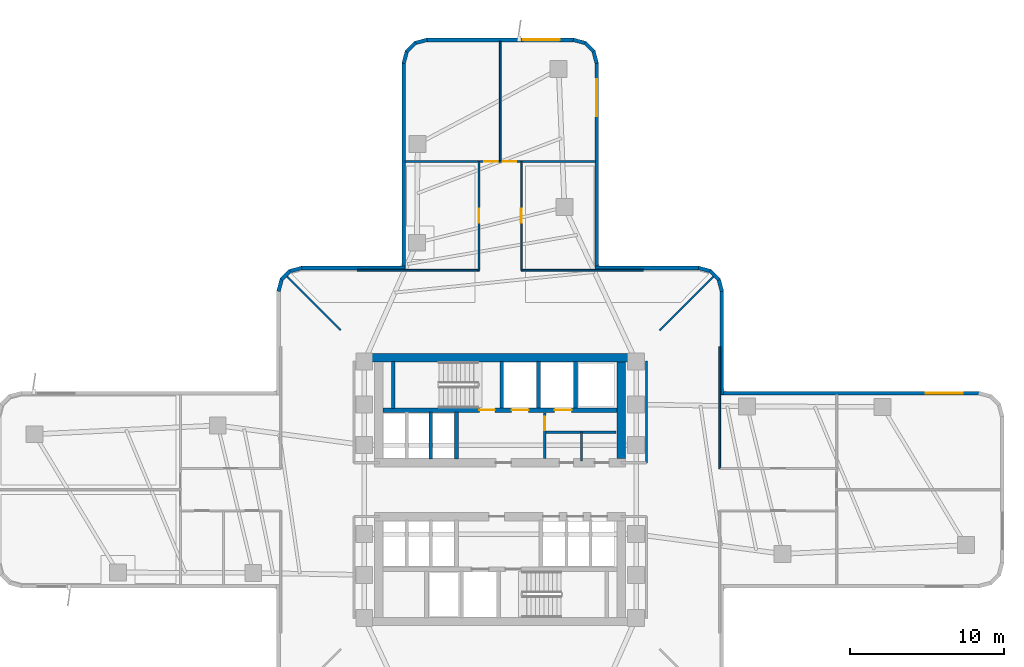
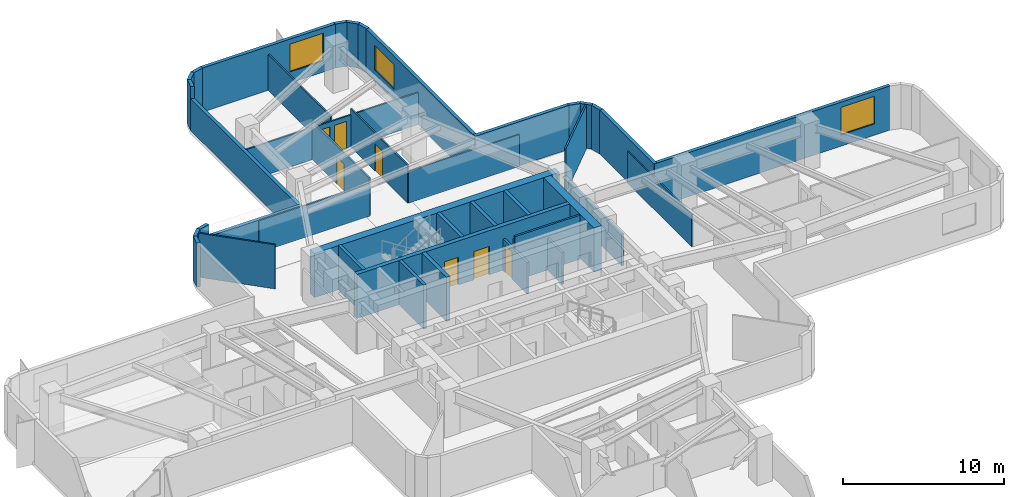
# One storey, part 5 of 9: 41 walls, 8 doors, 3 windows, 11 openings.
"""IFC4 building model written with IfcOpenShell, lengths in metres."""

from ifc_helpers import new_model, si_unit, direction, frame, frame_2d, origin, place, context, subcontext, project, spatial, rectangle, extrude, material, layer, layer_set, type_object, element, fill, save


model = new_model("IFC4")

# Units and contexts
model_context = context("Model", 3, precision=1e-05, world=origin(), true_north=direction((0.0, 1.0)))
body_context = subcontext(model_context, "Body", "Model", "MODEL_VIEW")
ifc_project = project(units=[si_unit("LENGTHUNIT", "METRE"), si_unit("AREAUNIT", "SQUARE_METRE"), si_unit("VOLUMEUNIT", "CUBIC_METRE"), si_unit("PLANEANGLEUNIT", "RADIAN"), si_unit("MASSUNIT", "GRAM", prefix="KILO")], contexts=[model_context])

# Site, building, storey
site_placement = place(None, origin())
site = spatial("IfcSite", under=ifc_project, at=site_placement, CompositionType="ELEMENT")
building_placement = place(site_placement, origin())
building = spatial("IfcBuilding", under=site, at=building_placement, Name="Solmarez Civic Tower", CompositionType="ELEMENT")
storey_placement = place(building_placement, frame((0.0, 0.0, 28.080078125)))
storey = spatial("IfcBuildingStorey", under=building, at=storey_placement, Name="L06", CompositionType="ELEMENT", Elevation=28.080078125)

# Walls
ifc_material_1 = material(Name="Concrete C60/75", Category="concrete")
ifc_layer_1 = layer(ifc_material_1, 0.550048828125)
ifc_layer_set_1 = layer_set([ifc_layer_1], Name="Concrete C60/75")
wall_type_1 = type_object("IfcWallType", Name="WALL-CORE-550", PredefinedType="SHEAR", material=ifc_layer_set_1)
wall_1_placement = place(storey_placement, frame((-8.780029296875, 8.5849609375, 0.0), z_axis=(0.0, 0.0, 1.0), x_axis=(1.0, 0.0, 0.0)))
element("IfcWall", 1, at=wall_1_placement, inside=storey, type_object=wall_type_1, Name="L06 Split-Core Structural Wall NCW-N-L06", PredefinedType="SHEAR", context=body_context, shape_type="SweptSolid", body=[
    extrude(rectangle(XDim=17.56005859375, YDim=0.550048828125, at=frame_2d((8.780029296875, 0.0))), origin(), (0.0, 0.0, 1.0), 3.33984375),
])
wall_2_placement = place(storey_placement, frame((7.89501953125, 8.31005859375, 0.0), z_axis=(0.0, 0.0, 1.0), x_axis=(0.0, -1.0, 0.0)))
element("IfcWall", 2, at=wall_2_placement, inside=storey, type_object=wall_type_1, Name="L06 Split-Core Structural Wall NCW-E-L06", PredefinedType="SHEAR", context=body_context, shape_type="SweptSolid", body=[
    extrude(rectangle(XDim=6.28515625, YDim=0.550048828125, at=frame_2d((3.142578125, 0.0))), origin(), (0.0, 0.0, 1.0), 3.33984375),
])
ifc_material_2 = material(Name="Precast concrete C40/50", Category="concrete")
ifc_layer_2 = layer(ifc_material_2, 0.239990234375)
ifc_layer_set_2 = layer_set([ifc_layer_2], Name="Precast concrete C40/50")
wall_type_2 = type_object("IfcWallType", Name="WALL-EXT-240", PredefinedType="SOLIDWALL", material=ifc_layer_set_2)
wall_3_placement = place(storey_placement, frame((-14.43603515625, 12.909912109375, 0.0), z_axis=(0.0, 0.0, 1.0), x_axis=(0.257937227116, 0.966161677396, 0.0)))
element("IfcWall", 3, at=wall_3_placement, inside=storey, type_object=wall_type_2, Name="L06 Exterior Precast Wall 14", PredefinedType="SOLIDWALL", context=body_context, shape_type="SweptSolid", body=[
    extrude(rectangle(XDim=0.830078125, YDim=0.239990234375, at=frame_2d((0.4150390625, 0.0))), origin(), (0.0, 0.0, 1.0), 3.33984375),
])
wall_4_placement = place(storey_placement, frame((-14.24609375, 13.669921875, 0.0), z_axis=(0.0, 0.0, 1.0), x_axis=(0.707106781187, 0.707106781187, 0.0)))
element("IfcWall", 4, at=wall_4_placement, inside=storey, type_object=wall_type_2, Name="L06 Exterior Precast Wall 15", PredefinedType="SOLIDWALL", context=body_context, shape_type="SweptSolid", body=[
    extrude(rectangle(XDim=0.81494140625, YDim=0.239990234375, at=frame_2d((0.407470703125, 0.0))), origin(), (0.0, 0.0, 1.0), 3.33984375),
])
wall_5_placement = place(storey_placement, frame((-13.7119140625, 14.221923828125, 0.0), z_axis=(0.0, 0.0, 1.0), x_axis=(0.966161677396, 0.257937227116, 0.0)))
element("IfcWall", 5, at=wall_5_placement, inside=storey, type_object=wall_type_2, Name="L06 Exterior Precast Wall 16", PredefinedType="SOLIDWALL", context=body_context, shape_type="SweptSolid", body=[
    extrude(rectangle(XDim=0.830078125, YDim=0.239990234375, at=frame_2d((0.4150390625, 0.0))), origin(), (0.0, 0.0, 1.0), 3.33984375),
])
wall_6_placement = place(storey_placement, frame((-12.958984375, 14.429931640625, 0.0), z_axis=(0.0, 0.0, 1.0), x_axis=(1.0, 0.0, 0.0)))
element("IfcWall", 6, at=wall_6_placement, inside=storey, type_object=wall_type_2, Name="L06 Exterior Precast Wall 17", PredefinedType="SOLIDWALL", context=body_context, shape_type="SweptSolid", body=[
    extrude(rectangle(XDim=6.77490234375, YDim=0.239990234375, at=frame_2d((3.387451171875, 0.0))), origin(), (0.0, 0.0, 1.0), 2.4208984375),
])
wall_7_placement = place(storey_placement, frame((-6.280029296875, 14.333984375, 0.0), z_axis=(0.0, 0.0, 1.0), x_axis=(0.0, 1.0, 0.0)))
element("IfcWall", 7, at=wall_7_placement, inside=storey, type_object=wall_type_2, Name="L06 Exterior Precast Wall 20", PredefinedType="SOLIDWALL", context=body_context, shape_type="SweptSolid", body=[
    extrude(rectangle(XDim=13.47509765625, YDim=0.239990234375, at=frame_2d((6.737548828125, 0.0))), origin(), (0.0, 0.0, 1.0), 2.4208984375),
])
wall_8_placement = place(storey_placement, frame((-6.285888671875, 27.760009765625, 0.0), z_axis=(0.0, 0.0, 1.0), x_axis=(0.25766265056, 0.966234939601, 0.0)))
element("IfcWall", 8, at=wall_8_placement, inside=storey, type_object=wall_type_2, Name="L06 Exterior Precast Wall 21", PredefinedType="SOLIDWALL", context=body_context, shape_type="SweptSolid", body=[
    extrude(rectangle(XDim=0.830078125, YDim=0.239990234375, at=frame_2d((0.4150390625, 0.0))), origin(), (0.0, 0.0, 1.0), 3.33984375),
])
wall_9_placement = place(storey_placement, frame((-6.095947265625, 28.52001953125, 0.0), z_axis=(0.0, 0.0, 1.0), x_axis=(0.707106781187, 0.707106781187, 0.0)))
element("IfcWall", 9, at=wall_9_placement, inside=storey, type_object=wall_type_2, Name="L06 Exterior Precast Wall 22", PredefinedType="SOLIDWALL", context=body_context, shape_type="SweptSolid", body=[
    extrude(rectangle(XDim=0.814453125, YDim=0.239990234375, at=frame_2d((0.4072265625, 0.0))), origin(), (0.0, 0.0, 1.0), 3.33984375),
])
wall_10_placement = place(storey_placement, frame((-5.56201171875, 29.072021484375, 0.0), z_axis=(0.0, 0.0, 1.0), x_axis=(0.966234939601, 0.25766265056, 0.0)))
element("IfcWall", 10, at=wall_10_placement, inside=storey, type_object=wall_type_2, Name="L06 Exterior Precast Wall 23", PredefinedType="SOLIDWALL", context=body_context, shape_type="SweptSolid", body=[
    extrude(rectangle(XDim=0.830078125, YDim=0.239990234375, at=frame_2d((0.4150390625, 0.0))), origin(), (0.0, 0.0, 1.0), 3.33984375),
])

# Wall, opening, window
wall_11_placement = place(storey_placement, frame((-4.80908203125, 29.280029296875, 0.0), z_axis=(0.0, 0.0, 1.0), x_axis=(1.0, 0.0, 0.0)))
wall_11 = element("IfcWall", 11, at=wall_11_placement, inside=storey, type_object=wall_type_2, Name="L06 Exterior Precast Wall 24", PredefinedType="SOLIDWALL", context=body_context, shape_type="SweptSolid", body=[
    extrude(rectangle(XDim=9.6181640625, YDim=0.239990234375, at=frame_2d((4.80908203125, 0.0))), origin(), (0.0, 0.0, 1.0), 3.33984375),
])
opening_1_placement = place(wall_11_placement, frame((6.302001953125, 0.0, 0.85009765625)))
opening_1 = element("IfcOpeningElement", 12, at=opening_1_placement, cuts=wall_11, Name="Opening W-02", PredefinedType="OPENING", context=body_context, shape_type="SweptSolid", body=[
    extrude(rectangle(XDim=2.39990234375, YDim=2.10009765625, at=frame_2d((1.199951171875, 1.050048828125))), frame((0.0, 0.1298828125, 0.0), z_axis=(0.0, -1.0, 0.0), x_axis=(1.0, 0.0, 0.0)), (0.0, 0.0, 1.0), 0.260009765625),
])
ifc_material_3 = material(Name="Solar Control Bronze-Tinted Insulating Glass", Category="glass")
window_type_1 = type_object("IfcWindowType", Name="WIN-2400X2100", PartitioningType="SINGLE_PANEL", PredefinedType="WINDOW", material=ifc_material_3)
window_1_placement = place(opening_1_placement, origin())
window_1 = element("IfcWindow", 13, at=window_1_placement, inside=storey, type_object=window_type_1, Name="L06 Exterior Facade Window 24", OverallHeight=2.10009765625, OverallWidth=2.39990234375, PartitioningType="SINGLE_PANEL", PredefinedType="WINDOW", context=body_context, shape_type="SweptSolid", body=[
    extrude(rectangle(XDim=2.39990234375, YDim=2.10009765625, at=frame_2d((1.199951171875, 1.050048828125))), frame((0.0, 0.030029296875, 0.0), z_axis=(0.0, -1.0, 0.0), x_axis=(1.0, 0.0, 0.0)), (0.0, 0.0, 1.0), 0.06005859375),
])
fill(opening_1, window_1)

# Walls
wall_12_placement = place(storey_placement, frame((4.760009765625, 29.285888671875, 0.0), z_axis=(0.0, 0.0, 1.0), x_axis=(0.966234939601, -0.25766265056, 0.0)))
element("IfcWall", 14, at=wall_12_placement, inside=storey, type_object=wall_type_2, Name="L06 Exterior Precast Wall 25", PredefinedType="SOLIDWALL", context=body_context, shape_type="SweptSolid", body=[
    extrude(rectangle(XDim=0.830078125, YDim=0.239990234375, at=frame_2d((0.4150390625, 0.0))), origin(), (0.0, 0.0, 1.0), 3.33984375),
])
wall_13_placement = place(storey_placement, frame((5.52001953125, 29.095947265625, 0.0), z_axis=(0.0, 0.0, 1.0), x_axis=(0.707106781187, -0.707106781187, 0.0)))
element("IfcWall", 15, at=wall_13_placement, inside=storey, type_object=wall_type_2, Name="L06 Exterior Precast Wall 26", PredefinedType="SOLIDWALL", context=body_context, shape_type="SweptSolid", body=[
    extrude(rectangle(XDim=0.814453125, YDim=0.239990234375, at=frame_2d((0.4072265625, 0.0))), origin(), (0.0, 0.0, 1.0), 3.33984375),
])
wall_14_placement = place(storey_placement, frame((6.072021484375, 28.56201171875, 0.0), z_axis=(0.0, 0.0, 1.0), x_axis=(0.25766265056, -0.966234939601, 0.0)))
element("IfcWall", 16, at=wall_14_placement, inside=storey, type_object=wall_type_2, Name="L06 Exterior Precast Wall 27", PredefinedType="SOLIDWALL", context=body_context, shape_type="SweptSolid", body=[
    extrude(rectangle(XDim=0.830078125, YDim=0.239990234375, at=frame_2d((0.4150390625, 0.0))), origin(), (0.0, 0.0, 1.0), 3.33984375),
])

# Wall, opening, window
wall_15_placement = place(storey_placement, frame((6.280029296875, 27.80908203125, 0.0), z_axis=(0.0, 0.0, 1.0), x_axis=(0.0, -1.0, 0.0)))
wall_15 = element("IfcWall", 17, at=wall_15_placement, inside=storey, type_object=wall_type_2, Name="L06 Exterior Precast Wall 28", PredefinedType="SOLIDWALL", context=body_context, shape_type="SweptSolid", body=[
    extrude(rectangle(XDim=13.47509765625, YDim=0.239990234375, at=frame_2d((6.737548828125, 0.0))), origin(), (0.0, 0.0, 1.0), 3.33984375),
])
opening_2_placement = place(wall_15_placement, frame((1.10009765625, 0.0, 0.85009765625)))
opening_2 = element("IfcOpeningElement", 18, at=opening_2_placement, cuts=wall_15, Name="Opening W-06", PredefinedType="OPENING", context=body_context, shape_type="SweptSolid", body=[
    extrude(rectangle(XDim=2.39990234375, YDim=1.85009765625, at=frame_2d((1.199951171875, 0.925048828125))), frame((0.0, 0.1298828125, 0.0), z_axis=(0.0, -1.0, 0.0), x_axis=(1.0, 0.0, 0.0)), (0.0, 0.0, 1.0), 0.260009765625),
])
window_type_2 = type_object("IfcWindowType", Name="WIN-2400X1850", PartitioningType="SINGLE_PANEL", PredefinedType="WINDOW", material=ifc_material_3)
window_2_placement = place(opening_2_placement, origin())
window_2 = element("IfcWindow", 19, at=window_2_placement, inside=storey, type_object=window_type_2, Name="L06 Exterior Facade Window 28", OverallHeight=1.85009765625, OverallWidth=2.39990234375, PartitioningType="SINGLE_PANEL", PredefinedType="WINDOW", context=body_context, shape_type="SweptSolid", body=[
    extrude(rectangle(XDim=2.39990234375, YDim=1.85009765625, at=frame_2d((1.199951171875, 0.925048828125))), frame((0.0, 0.030029296875, 0.0), z_axis=(0.0, -1.0, 0.0), x_axis=(1.0, 0.0, 0.0)), (0.0, 0.0, 1.0), 0.06005859375),
])
fill(opening_2, window_2)

# Walls
wall_16_placement = place(storey_placement, frame((6.18408203125, 14.429931640625, 0.0), z_axis=(0.0, 0.0, 1.0), x_axis=(1.0, 0.0, 0.0)))
element("IfcWall", 20, at=wall_16_placement, inside=storey, type_object=wall_type_2, Name="L06 Exterior Precast Wall 31", PredefinedType="SOLIDWALL", context=body_context, shape_type="SweptSolid", body=[
    extrude(rectangle(XDim=6.77490234375, YDim=0.239990234375, at=frame_2d((3.387451171875, 0.0))), origin(), (0.0, 0.0, 1.0), 3.33984375),
])
wall_17_placement = place(storey_placement, frame((12.909912109375, 14.43603515625, 0.0), z_axis=(0.0, 0.0, 1.0), x_axis=(0.966161677396, -0.257937227116, 0.0)))
element("IfcWall", 21, at=wall_17_placement, inside=storey, type_object=wall_type_2, Name="L06 Exterior Precast Wall 32", PredefinedType="SOLIDWALL", context=body_context, shape_type="SweptSolid", body=[
    extrude(rectangle(XDim=0.830078125, YDim=0.239990234375, at=frame_2d((0.4150390625, 0.0))), origin(), (0.0, 0.0, 1.0), 3.33984375),
])
wall_18_placement = place(storey_placement, frame((13.669921875, 14.24609375, 0.0), z_axis=(0.0, 0.0, 1.0), x_axis=(0.707106781187, -0.707106781187, 0.0)))
element("IfcWall", 22, at=wall_18_placement, inside=storey, type_object=wall_type_2, Name="L06 Exterior Precast Wall 33", PredefinedType="SOLIDWALL", context=body_context, shape_type="SweptSolid", body=[
    extrude(rectangle(XDim=0.81494140625, YDim=0.239990234375, at=frame_2d((0.407470703125, 0.0))), origin(), (0.0, 0.0, 1.0), 3.33984375),
])
wall_19_placement = place(storey_placement, frame((14.221923828125, 13.7119140625, 0.0), z_axis=(0.0, 0.0, 1.0), x_axis=(0.257937227116, -0.966161677396, 0.0)))
element("IfcWall", 23, at=wall_19_placement, inside=storey, type_object=wall_type_2, Name="L06 Exterior Precast Wall 34", PredefinedType="SOLIDWALL", context=body_context, shape_type="SweptSolid", body=[
    extrude(rectangle(XDim=0.830078125, YDim=0.239990234375, at=frame_2d((0.4150390625, 0.0))), origin(), (0.0, 0.0, 1.0), 3.33984375),
])
wall_20_placement = place(storey_placement, frame((14.429931640625, 12.958984375, 0.0), z_axis=(0.0, 0.0, 1.0), x_axis=(0.0, -1.0, 0.0)))
element("IfcWall", 24, at=wall_20_placement, inside=storey, type_object=wall_type_2, Name="L06 Exterior Precast Wall 35", PredefinedType="SOLIDWALL", context=body_context, shape_type="SweptSolid", body=[
    extrude(rectangle(XDim=6.77490234375, YDim=0.239990234375, at=frame_2d((3.387451171875, 0.0))), origin(), (0.0, 0.0, 1.0), 3.33984375),
])

# Wall, opening, window
wall_21_placement = place(storey_placement, frame((14.333984375, 6.280029296875, 0.0), z_axis=(0.0, 0.0, 1.0), x_axis=(1.0, 0.0, 0.0)))
wall_21 = element("IfcWall", 25, at=wall_21_placement, inside=storey, type_object=wall_type_2, Name="L06 Exterior Precast Wall 38", PredefinedType="SOLIDWALL", context=body_context, shape_type="SweptSolid", body=[
    extrude(rectangle(XDim=16.875, YDim=0.239990234375, at=frame_2d((8.4375, 0.0))), origin(), (0.0, 0.0, 1.0), 3.33984375),
])
opening_3_placement = place(wall_21_placement, frame((13.375, 0.0, 0.85009765625)))
opening_3 = element("IfcOpeningElement", 26, at=opening_3_placement, cuts=wall_21, Name="Opening W-02", PredefinedType="OPENING", context=body_context, shape_type="SweptSolid", body=[
    extrude(rectangle(XDim=2.39990234375, YDim=2.10009765625, at=frame_2d((1.199951171875, 1.050048828125))), frame((0.0, 0.1298828125, 0.0), z_axis=(0.0, -1.0, 0.0), x_axis=(1.0, 0.0, 0.0)), (0.0, 0.0, 1.0), 0.260009765625),
])
window_3_placement = place(opening_3_placement, origin())
window_3 = element("IfcWindow", 27, at=window_3_placement, inside=storey, type_object=window_type_1, Name="L06 Exterior Facade Window 38", OverallHeight=2.10009765625, OverallWidth=2.39990234375, PartitioningType="SINGLE_PANEL", PredefinedType="WINDOW", context=body_context, shape_type="SweptSolid", body=[
    extrude(rectangle(XDim=2.39990234375, YDim=2.10009765625, at=frame_2d((1.199951171875, 1.050048828125))), frame((0.0, 0.030029296875, 0.0), z_axis=(0.0, -1.0, 0.0), x_axis=(1.0, 0.0, 0.0)), (0.0, 0.0, 1.0), 0.06005859375),
])
fill(opening_3, window_3)

# Walls
ifc_material_4 = material(Name="Gypsum Board Acoustic Steel-Stud Partition", Category="steel")
ifc_layer_3 = layer(ifc_material_4, 0.14990234375)
ifc_layer_set_3 = layer_set([ifc_layer_3], Name="Gypsum Board Acoustic Steel-Stud Partition")
wall_type_3 = type_object("IfcWallType", Name="WALL-INT-FIRE-150", PredefinedType="PARTITIONING", material=ifc_layer_set_3)
wall_22_placement = place(storey_placement, frame((9.52001953125, 1.75, 0.0), z_axis=(0.0, 0.0, 1.0), x_axis=(0.0, 1.0, 0.0)))
element("IfcWall", 28, at=wall_22_placement, inside=storey, type_object=wall_type_3, Name="L06 Interior Partition CHW-L06-EN1", PredefinedType="PARTITIONING", context=body_context, shape_type="SweptSolid", body=[
    extrude(rectangle(XDim=6.6298828125, YDim=0.14990234375, at=frame_2d((3.31494140625, 0.0))), origin(), (0.0, 0.0, 1.0), 2.4208984375),
])
ifc_layer_4 = layer(ifc_material_4, 0.110107421875)
ifc_layer_set_4 = layer_set([ifc_layer_4], Name="Gypsum Board Acoustic Steel-Stud Partition")
wall_type_4 = type_object("IfcWallType", Name="WALL-INT-PART-110", PredefinedType="PARTITIONING", material=ifc_layer_set_4)
for number, where, z_axis, x_axis, name in (
    (29, (10.3798828125, 10.3798828125, 0.0), (0.0, 0.0, 1.0), (0.707106781187, 0.707106781187, 0.0), "L06 Interior Partition PT-L06-QDIV-1"),
    (30, (-10.3798828125, 10.3798828125, 0.0), (0.0, 0.0, 1.0), (-0.707106781187, 0.707106781187, 0.0), "L06 Interior Partition PT-L06-QDIV-2"),
):
    element("IfcWall", number, at=place(storey_placement, frame(where, z_axis=z_axis, x_axis=x_axis)), inside=storey, type_object=wall_type_4, Name=name, PredefinedType="PARTITIONING", context=body_context, shape_type="SweptSolid", body=[
        extrude(rectangle(XDim=4.975341796875, YDim=0.110107421875, at=frame_2d((2.48779296875, 0.0))), origin(), (0.0, 0.0, 1.0), 3.33984375),
    ])
for number, where, z_axis, x_axis, name in (
    (31, (14.2900390625, 1.3701171875, 0.0), (0.0, 0.0, 1.0), (0.0, 1.0, 0.0), "L06 Interior Partition PT-L06-E-EFL"),
    (32, (-1.3701171875, 14.2900390625, 0.0), (0.0, 0.0, 1.0), (-1.0, 0.0, 0.0), "L06 Interior Partition PT-L06-N-EFL"),
    (33, (9.320068359375, 14.2900390625, 0.0), (0.0, 0.0, 1.0), (-1.0, 0.0, 0.0), "L06 Interior Partition PT-L06-N-EFR"),
):
    element("IfcWall", number, at=place(storey_placement, frame(where, z_axis=z_axis, x_axis=x_axis)), inside=storey, type_object=wall_type_4, Name=name, PredefinedType="PARTITIONING", context=body_context, shape_type="SweptSolid", body=[
        extrude(rectangle(XDim=7.949951171875, YDim=0.110107421875, at=frame_2d((3.97509765625, 0.0))), origin(), (0.0, 0.0, 1.0), 2.4208984375),
    ])

# Wall, opening, door
wall_23_placement = place(storey_placement, frame((-1.3798828125, 21.360107421875, 0.0), z_axis=(0.0, 0.0, 1.0), x_axis=(0.0, -1.0, 0.0)))
wall_23 = element("IfcWall", 34, at=wall_23_placement, inside=storey, type_object=wall_type_4, Name="L06 Interior Partition PT-L06-N-SL", PredefinedType="PARTITIONING", context=body_context, shape_type="SweptSolid", body=[
    extrude(rectangle(XDim=7.070068359375, YDim=0.110107421875, at=frame_2d((3.53515625, 0.0))), origin(), (0.0, 0.0, 1.0), 2.868896484375),
])
opening_4_placement = place(wall_23_placement, frame((3.0849609375, 0.0, 0.0)))
opening_4 = element("IfcOpeningElement", 35, at=opening_4_placement, cuts=wall_23, Name="Opening D-08", PredefinedType="OPENING", context=body_context, shape_type="SweptSolid", body=[
    extrude(rectangle(XDim=0.89990234375, YDim=2.06005859375, at=frame_2d((0.449951171875, 1.030029296875))), frame((0.0, 0.06494140625, 0.0), z_axis=(0.0, -1.0, 0.0), x_axis=(1.0, 0.0, 0.0)), (0.0, 0.0, 1.0), 0.130126953125),
])
ifc_material_5 = material(Name="Solid-Core Timber Office Door", Category="wood")
door_type_1 = type_object("IfcDoorType", Name="DOOR-INT-900", OperationType="NOTDEFINED", PredefinedType="DOOR", material=ifc_material_5)
door_1_placement = place(opening_4_placement, origin())
door_1 = element("IfcDoor", 36, at=door_1_placement, inside=storey, type_object=door_type_1, Name="L06 Directorate Office North Door", OperationType="SINGLE_SWING_LEFT", OverallHeight=2.06005859375, OverallWidth=0.89990234375, PredefinedType="DOOR", context=body_context, shape_type="SweptSolid", body=[
    extrude(rectangle(XDim=0.89990234375, YDim=2.06005859375, at=frame_2d((0.449951171875, 1.030029296875))), frame((0.0, 0.02490234375, 0.0), z_axis=(0.0, -1.0, 0.0), x_axis=(1.0, 0.0, 0.0)), (0.0, 0.0, 1.0), 0.050048828125),
])
fill(opening_4, door_1)

wall_24_placement = place(storey_placement, frame((1.3798828125, 14.2900390625, 0.0), z_axis=(0.0, 0.0, 1.0), x_axis=(0.0, 1.0, 0.0)))
wall_24 = element("IfcWall", 37, at=wall_24_placement, inside=storey, type_object=wall_type_4, Name="L06 Interior Partition PT-L06-N-SR", PredefinedType="PARTITIONING", context=body_context, shape_type="SweptSolid", body=[
    extrude(rectangle(XDim=7.070068359375, YDim=0.110107421875, at=frame_2d((3.53515625, 0.0))), origin(), (0.0, 0.0, 1.0), 2.868896484375),
])
opening_5_placement = place(wall_24_placement, frame((3.0849609375, 0.0, 0.0)))
opening_5 = element("IfcOpeningElement", 38, at=opening_5_placement, cuts=wall_24, Name="Opening D-08", PredefinedType="OPENING", context=body_context, shape_type="SweptSolid", body=[
    extrude(rectangle(XDim=0.89990234375, YDim=2.06005859375, at=frame_2d((0.449951171875, 1.030029296875))), frame((0.0, 0.06494140625, 0.0), z_axis=(0.0, -1.0, 0.0), x_axis=(1.0, 0.0, 0.0)), (0.0, 0.0, 1.0), 0.130126953125),
])
door_2_placement = place(opening_5_placement, origin())
door_2 = element("IfcDoor", 39, at=door_2_placement, inside=storey, type_object=door_type_1, Name="L06 Policy Boardroom North Door", OperationType="SINGLE_SWING_RIGHT", OverallHeight=2.06005859375, OverallWidth=0.89990234375, PredefinedType="DOOR", context=body_context, shape_type="SweptSolid", body=[
    extrude(rectangle(XDim=0.89990234375, YDim=2.06005859375, at=frame_2d((0.449951171875, 1.030029296875))), frame((0.0, 0.02490234375, 0.0), z_axis=(0.0, -1.0, 0.0), x_axis=(1.0, 0.0, 0.0)), (0.0, 0.0, 1.0), 0.050048828125),
])
fill(opening_5, door_2)

# Wall
wall_25_placement = place(storey_placement, frame((0.0, 21.419921875, 0.0), z_axis=(0.0, 0.0, 1.0), x_axis=(0.0, 1.0, 0.0)))
element("IfcWall", 40, at=wall_25_placement, inside=storey, type_object=wall_type_4, Name="L06 Interior Partition PT-L06-N-TM", PredefinedType="PARTITIONING", context=body_context, shape_type="SweptSolid", body=[
    extrude(rectangle(XDim=7.775146484375, YDim=0.110107421875, at=frame_2d((3.8876953125, 0.0))), origin(), (0.0, 0.0, 1.0), 2.719970703125),
])

# Wall, openings, doors
wall_26_placement = place(storey_placement, frame((-6.195068359375, 21.360107421875, 0.0), z_axis=(0.0, 0.0, 1.0), x_axis=(1.0, 0.0, 0.0)))
wall_26 = element("IfcWall", 41, at=wall_26_placement, inside=storey, type_object=wall_type_4, Name="L06 Interior Partition PT-L06-N-END", PredefinedType="PARTITIONING", context=body_context, shape_type="SweptSolid", body=[
    extrude(rectangle(XDim=12.39013671875, YDim=0.110107421875, at=frame_2d((6.195068359375, 0.0))), origin(), (0.0, 0.0, 1.0), 2.4208984375),
])
opening_6_placement = place(wall_26_placement, frame((6.364990234375, 0.0, 0.0)))
opening_6 = element("IfcOpeningElement", 42, at=opening_6_placement, cuts=wall_26, Name="Opening D-14", PredefinedType="OPENING", context=body_context, shape_type="SweptSolid", body=[
    extrude(rectangle(XDim=0.860107421875, YDim=2.0400390625, at=frame_2d((0.43017578125, 1.02001953125))), frame((0.0, 0.06494140625, 0.0), z_axis=(0.0, -1.0, 0.0), x_axis=(1.0, 0.0, 0.0)), (0.0, 0.0, 1.0), 0.130126953125),
])
opening_7_placement = place(wall_26_placement, frame((5.1650390625, 0.0, 0.0)))
opening_7 = element("IfcOpeningElement", 43, at=opening_7_placement, cuts=wall_26, Name="Opening D-14", PredefinedType="OPENING", context=body_context, shape_type="SweptSolid", body=[
    extrude(rectangle(XDim=0.860107421875, YDim=2.0400390625, at=frame_2d((0.43017578125, 1.02001953125))), frame((0.0, 0.06494140625, 0.0), z_axis=(0.0, -1.0, 0.0), x_axis=(1.0, 0.0, 0.0)), (0.0, 0.0, 1.0), 0.130126953125),
])
ifc_material_6 = material(Name="Timber Storage and Pantry Door", Category="wood")
door_type_2 = type_object("IfcDoorType", Name="DOOR-INT-850", OperationType="NOTDEFINED", PredefinedType="DOOR", material=ifc_material_6)
door_3_placement = place(opening_6_placement, origin())
door_3 = element("IfcDoor", 44, at=door_3_placement, inside=storey, type_object=door_type_2, Name="L06 Ministry Open Workspace Sixth North Door", OperationType="SINGLE_SWING_RIGHT", OverallHeight=2.0400390625, OverallWidth=0.860107421875, PredefinedType="DOOR", context=body_context, shape_type="SweptSolid", body=[
    extrude(rectangle(XDim=0.860107421875, YDim=2.0400390625, at=frame_2d((0.43017578125, 1.02001953125))), frame((0.0, 0.02490234375, 0.0), z_axis=(0.0, -1.0, 0.0), x_axis=(1.0, 0.0, 0.0)), (0.0, 0.0, 1.0), 0.050048828125),
])
fill(opening_6, door_3)
door_4_placement = place(opening_7_placement, origin())
door_4 = element("IfcDoor", 45, at=door_4_placement, inside=storey, type_object=door_type_2, Name="L06 Staff Pantry Fifth North Door", OperationType="SINGLE_SWING_LEFT", OverallHeight=2.0400390625, OverallWidth=0.860107421875, PredefinedType="DOOR", context=body_context, shape_type="SweptSolid", body=[
    extrude(rectangle(XDim=0.860107421875, YDim=2.0400390625, at=frame_2d((0.43017578125, 1.02001953125))), frame((0.0, 0.02490234375, 0.0), z_axis=(0.0, -1.0, 0.0), x_axis=(1.0, 0.0, 0.0)), (0.0, 0.0, 1.0), 0.050048828125),
])
fill(opening_7, door_4)

# Wall, opening, door
ifc_layer_5 = layer(ifc_material_4, 0.159912109375)
ifc_layer_set_5 = layer_set([ifc_layer_5], Name="Gypsum Board Acoustic Steel-Stud Partition")
wall_type_5 = type_object("IfcWallType", Name="WALL-INT-SHAFT-160", PredefinedType="PARTITIONING", material=ifc_layer_set_5)
wall_27_placement = place(storey_placement, frame((2.89990234375, 2.0400390625, 0.0), z_axis=(0.0, 0.0, 1.0), x_axis=(0.0, 1.0, 0.0)))
wall_27 = element("IfcWall", 46, at=wall_27_placement, inside=storey, type_object=wall_type_5, Name="L06 Interior Partition SHW-NL2-L06", PredefinedType="PARTITIONING", context=body_context, shape_type="SweptSolid", body=[
    extrude(rectangle(XDim=2.93994140625, YDim=0.159912109375, at=frame_2d((1.469970703125, 0.0))), origin(), (0.0, 0.0, 1.0), 2.405029296875),
])
opening_8_placement = place(wall_27_placement, frame((1.820068359375, 0.0, 0.0)))
opening_8 = element("IfcOpeningElement", 47, at=opening_8_placement, cuts=wall_27, Name="Opening D-09", PredefinedType="OPENING", context=body_context, shape_type="SweptSolid", body=[
    extrude(rectangle(XDim=0.89990234375, YDim=2.06005859375, at=frame_2d((0.449951171875, 1.030029296875))), frame((0.0, 0.08984375, 0.0), z_axis=(0.0, -1.0, 0.0), x_axis=(1.0, 0.0, 0.0)), (0.0, 0.0, 1.0), 0.179931640625),
])
ifc_material_7 = material(Name="Fire-Rated Service Core Door", Category="wood")
door_type_3 = type_object("IfcDoorType", Name="DOOR-FD60-900", OperationType="NOTDEFINED", PredefinedType="DOOR", material=ifc_material_7)
door_5_placement = place(opening_8_placement, origin())
door_5 = element("IfcDoor", 48, at=door_5_placement, inside=storey, type_object=door_type_3, Name="L06 Service Lift Lobby Door", OperationType="SINGLE_SWING_LEFT", OverallHeight=2.06005859375, OverallWidth=0.89990234375, PredefinedType="DOOR", context=body_context, shape_type="SweptSolid", body=[
    extrude(rectangle(XDim=0.89990234375, YDim=2.06005859375, at=frame_2d((0.449951171875, 1.030029296875))), frame((0.0, 0.02490234375, 0.0), z_axis=(0.0, -1.0, 0.0), x_axis=(1.0, 0.0, 0.0)), (0.0, 0.0, 1.0), 0.050048828125),
])
fill(opening_8, door_5)

# Walls
ifc_layer_6 = layer(ifc_material_4, 0.137939453125)
ifc_layer_set_6 = layer_set([ifc_layer_6], Name="Gypsum Board Acoustic Steel-Stud Partition")
wall_type_6 = type_object("IfcWallType", Name="WALL-INT-WET-140", PredefinedType="PARTITIONING", material=ifc_layer_set_6)
wall_28_placement = place(storey_placement, frame((2.89990234375, 3.739990234375, 0.0), z_axis=(0.0, 0.0, 1.0), x_axis=(1.0, 0.0, 0.0)))
element("IfcWall", 49, at=wall_28_placement, inside=storey, type_object=wall_type_6, Name="L06 Interior Partition SHW-SVH-L06", PredefinedType="PARTITIONING", context=body_context, shape_type="SweptSolid", body=[
    extrude(rectangle(XDim=4.650146484375, YDim=0.137939453125, at=frame_2d((2.3251953125, 0.0))), origin(), (0.0, 0.0, 1.0), 3.33984375),
])
wall_29_placement = place(storey_placement, frame((5.300048828125, 1.85009765625, 0.0), z_axis=(0.0, 0.0, 1.0), x_axis=(0.0, 1.0, 0.0)))
element("IfcWall", 50, at=wall_29_placement, inside=storey, type_object=wall_type_6, Name="L06 Interior Partition PT-NCSV-L06", PredefinedType="PARTITIONING", context=body_context, shape_type="SweptSolid", body=[
    extrude(rectangle(XDim=1.889892578125, YDim=0.137939453125, at=frame_2d((0.94482421875, 0.0))), origin(), (0.0, 0.0, 1.0), 2.405029296875),
])

# Wall, openings, doors
ifc_material_8 = material(Name="Concrete C50/60", Category="concrete")
ifc_layer_7 = layer(ifc_material_8, 0.300048828125)
ifc_layer_set_7 = layer_set([ifc_layer_7], Name="Concrete C50/60")
wall_type_7 = type_object("IfcWallType", Name="WALL-STR-300", PredefinedType="SOLIDWALL", material=ifc_layer_set_7)
wall_30_placement = place(storey_placement, frame((7.6201171875, 5.179931640625, 0.0), z_axis=(0.0, 0.0, 1.0), x_axis=(-1.0, 0.0, 0.0)))
wall_30 = element("IfcWall", 51, at=wall_30_placement, inside=storey, type_object=wall_type_7, Name="L06 Split-Core Structural Wall NCW-M-L06", PredefinedType="SOLIDWALL", context=body_context, shape_type="SweptSolid", body=[
    extrude(rectangle(XDim=15.240234375, YDim=0.300048828125, at=frame_2d((7.6201171875, 0.0))), origin(), (0.0, 0.0, 1.0), 3.33984375),
])
opening_9_placement = place(wall_30_placement, frame((5.77001953125, 0.0, 0.0)))
opening_9 = element("IfcOpeningElement", 52, at=opening_9_placement, cuts=wall_30, Name="Opening LD-02", PredefinedType="OPENING", context=body_context, shape_type="SweptSolid", body=[
    extrude(rectangle(XDim=1.10009765625, YDim=2.14990234375, at=frame_2d((0.550048828125, 1.074951171875))), frame((0.0, 0.159912109375, 0.0), z_axis=(0.0, -1.0, 0.0), x_axis=(1.0, 0.0, 0.0)), (0.0, 0.0, 1.0), 0.320068359375),
])
opening_10_placement = place(wall_30_placement, frame((2.969970703125, 0.0, 0.0)))
opening_10 = element("IfcOpeningElement", 53, at=opening_10_placement, cuts=wall_30, Name="Opening LD-03", PredefinedType="OPENING", context=body_context, shape_type="SweptSolid", body=[
    extrude(rectangle(XDim=1.10009765625, YDim=2.14990234375, at=frame_2d((0.550048828125, 1.074951171875))), frame((0.0, 0.159912109375, 0.0), z_axis=(0.0, -1.0, 0.0), x_axis=(1.0, 0.0, 0.0)), (0.0, 0.0, 1.0), 0.320068359375),
])
opening_11_placement = place(wall_30_placement, frame((7.969970703125, 0.0, 0.0)))
opening_11 = element("IfcOpeningElement", 54, at=opening_11_placement, cuts=wall_30, Name="Opening D-05", PredefinedType="OPENING", context=body_context, shape_type="SweptSolid", body=[
    extrude(rectangle(XDim=1.0, YDim=2.10009765625, at=frame_2d((0.5, 1.050048828125))), frame((0.0, 0.159912109375, 0.0), z_axis=(0.0, -1.0, 0.0), x_axis=(1.0, 0.0, 0.0)), (0.0, 0.0, 1.0), 0.320068359375),
])
ifc_material_9 = material(Name="Fire-Rated Stairwell Exit Door", Category="wood")
door_type_4 = type_object("IfcDoorType", Name="DOOR-FD90-1000", OperationType="NOTDEFINED", PredefinedType="DOOR", material=ifc_material_9)
door_6_placement = place(opening_11_placement, origin())
door_6 = element("IfcDoor", 55, at=door_6_placement, inside=storey, type_object=door_type_4, Name="L06 North Exit Stair Door ST-1", OperationType="SINGLE_SWING_LEFT", OverallHeight=2.10009765625, OverallWidth=1.0, PredefinedType="DOOR", context=body_context, shape_type="SweptSolid", body=[
    extrude(rectangle(XDim=1.0, YDim=2.10009765625, at=frame_2d((0.5, 1.050048828125))), frame((0.0, 0.02490234375, 0.0), z_axis=(0.0, -1.0, 0.0), x_axis=(1.0, 0.0, 0.0)), (0.0, 0.0, 1.0), 0.050048828125),
])
fill(opening_11, door_6)
ifc_material_10 = material(Name="Stainless Firefighting Lift Landing Sliding Door", Category="aluminium")
door_type_5 = type_object("IfcDoorType", Name="DOOR-LD-FF-1100", OperationType="DOUBLE_DOOR_SLIDING", PredefinedType="DOOR", material=ifc_material_10)
door_7_placement = place(opening_9_placement, origin())
door_7 = element("IfcDoor", 56, at=door_7_placement, inside=storey, type_object=door_type_5, Name="L06 Firefighting Lift Landing Door FFL-1", OperationType="DOUBLE_DOOR_SLIDING", OverallHeight=2.14990234375, OverallWidth=1.10009765625, PredefinedType="DOOR", context=body_context, shape_type="SweptSolid", body=[
    extrude(rectangle(XDim=1.10009765625, YDim=2.14990234375, at=frame_2d((0.550048828125, 1.074951171875))), frame((0.0, 0.02490234375, 0.0), z_axis=(0.0, -1.0, 0.0), x_axis=(1.0, 0.0, 0.0)), (0.0, 0.0, 1.0), 0.050048828125),
])
fill(opening_9, door_7)
ifc_material_11 = material(Name="Stainless Stretcher Lift Landing Sliding Door", Category="aluminium")
door_type_6 = type_object("IfcDoorType", Name="DOOR-LD-SV-1100", OperationType="DOUBLE_DOOR_SLIDING", PredefinedType="DOOR", material=ifc_material_11)
door_8_placement = place(opening_10_placement, origin())
door_8 = element("IfcDoor", 57, at=door_8_placement, inside=storey, type_object=door_type_6, Name="L06 Service Stretcher Lift Landing Door SVL-1", OperationType="DOUBLE_DOOR_SLIDING", OverallHeight=2.14990234375, OverallWidth=1.10009765625, PredefinedType="DOOR", context=body_context, shape_type="SweptSolid", body=[
    extrude(rectangle(XDim=1.10009765625, YDim=2.14990234375, at=frame_2d((0.550048828125, 1.074951171875))), frame((0.0, 0.02490234375, 0.0), z_axis=(0.0, -1.0, 0.0), x_axis=(1.0, 0.0, 0.0)), (0.0, 0.0, 1.0), 0.050048828125),
])
fill(opening_10, door_8)

# Walls
wall_31_placement = place(storey_placement, frame((-6.949951171875, 5.280029296875, 0.0), z_axis=(0.0, 0.0, 1.0), x_axis=(0.0, 1.0, 0.0)))
element("IfcWall", 58, at=wall_31_placement, inside=storey, type_object=wall_type_7, Name="L06 Split-Core Structural Wall SHW-NW-L06", PredefinedType="SOLIDWALL", context=body_context, shape_type="SweptSolid", body=[
    extrude(rectangle(XDim=3.06005859375, YDim=0.219970703125, at=frame_2d((1.530029296875, 0.0))), origin(), (0.0, 0.0, 1.0), 3.33984375),
])
for number, where, z_axis, x_axis, name in (
    (59, (0.10009765625, 5.300048828125, 0.0), (0.0, 0.0, 1.0), (0.0, 1.0, 0.0), "L06 Split-Core Structural Wall SHW-N1-L06"),
    (60, (2.5, 5.300048828125, 0.0), (0.0, 0.0, 1.0), (0.0, 1.0, 0.0), "L06 Split-Core Structural Wall SHW-N2-L06"),
    (61, (4.89990234375, 5.300048828125, 0.0), (0.0, 0.0, 1.0), (0.0, 1.0, 0.0), "L06 Split-Core Structural Wall SHW-N3-L06"),
):
    element("IfcWall", number, at=place(storey_placement, frame(where, z_axis=z_axis, x_axis=x_axis)), inside=storey, type_object=wall_type_7, Name=name, PredefinedType="SOLIDWALL", context=body_context, shape_type="SweptSolid", body=[
        extrude(rectangle(XDim=3.0400390625, YDim=0.25, at=frame_2d((1.52001953125, 0.0))), origin(), (0.0, 0.0, 1.0), 3.33984375),
    ])
wall_32_placement = place(storey_placement, frame((-2.85009765625, 1.97998046875, 0.0), z_axis=(0.0, 0.0, 1.0), x_axis=(0.0, 1.0, 0.0)))
element("IfcWall", 62, at=wall_32_placement, inside=storey, type_object=wall_type_7, Name="L06 Split-Core Structural Wall SHW-NL1-L06", PredefinedType="SOLIDWALL", context=body_context, shape_type="SweptSolid", body=[
    extrude(rectangle(XDim=3.070068359375, YDim=0.25, at=frame_2d((1.53515625, 0.0))), origin(), (0.0, 0.0, 1.0), 3.33984375),
])
wall_33_placement = place(storey_placement, frame((-4.52001953125, 1.97998046875, 0.0), z_axis=(0.0, 0.0, 1.0), x_axis=(0.0, 1.0, 0.0)))
element("IfcWall", 63, at=wall_33_placement, inside=storey, type_object=wall_type_7, Name="L06 Split-Core Structural Wall SHW-PLH-L06-2", PredefinedType="SOLIDWALL", context=body_context, shape_type="SweptSolid", body=[
    extrude(rectangle(XDim=3.070068359375, YDim=0.219970703125, at=frame_2d((1.53515625, 0.0))), origin(), (0.0, 0.0, 1.0), 3.33984375),
])

save(model, "model.ifc")
